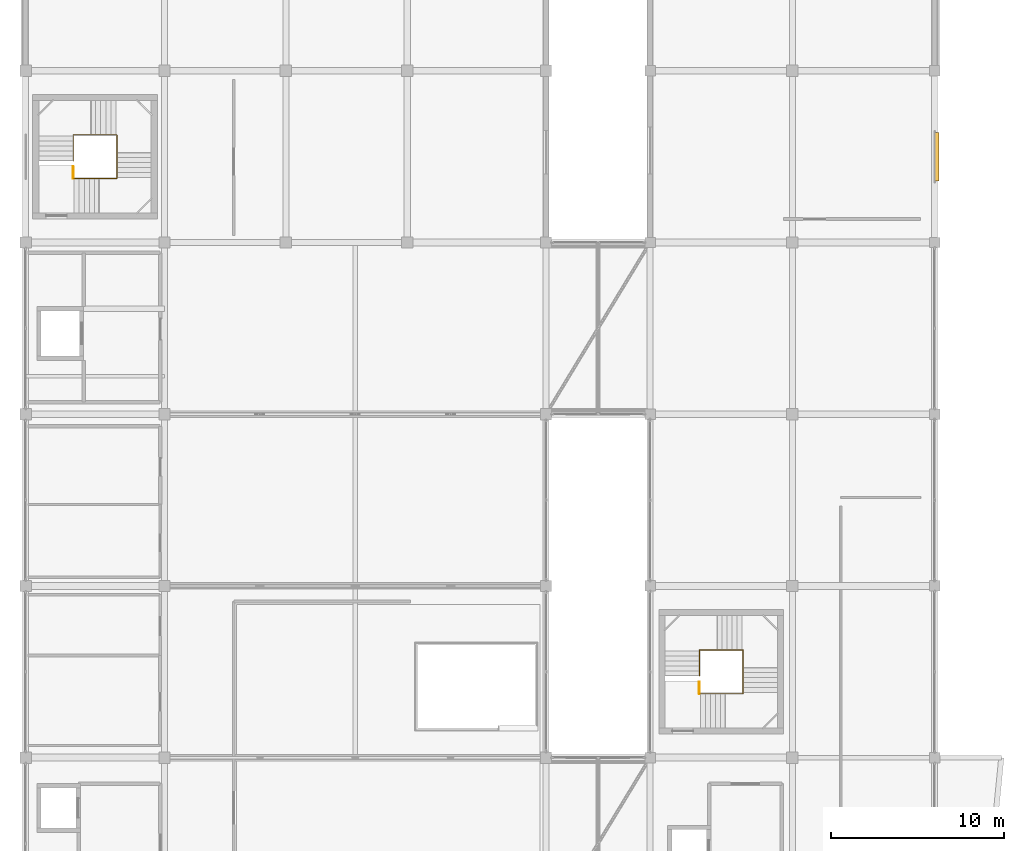
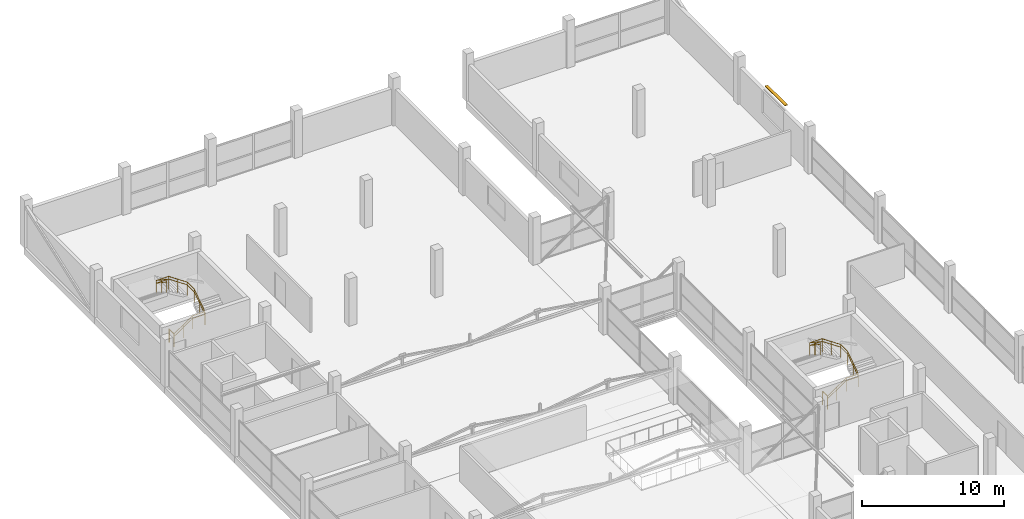
# One storey, part 66 of 66: 6 railings, 1 shading device.
"""IFC4 building model written with IfcOpenShell, lengths in metres."""

from ifc_helpers import new_model, si_unit, direction, frame, origin, origin_2d, place, context, subcontext, project, spatial, rectangle, circle, extrude, material, type_object, element, save


model = new_model("IFC4")

# Units and contexts
model_context = context("Model", 3, precision=1e-05, world=origin(), true_north=direction((0.0, 1.0)))
body_context = subcontext(model_context, "Body", "Model", "MODEL_VIEW")
ifc_project = project(units=[si_unit("LENGTHUNIT", "METRE"), si_unit("AREAUNIT", "SQUARE_METRE"), si_unit("VOLUMEUNIT", "CUBIC_METRE"), si_unit("PLANEANGLEUNIT", "RADIAN"), si_unit("MASSUNIT", "GRAM", prefix="KILO")], contexts=[model_context])

# Site, building, storey
site_placement = place(None, origin())
site = spatial("IfcSite", under=ifc_project, at=site_placement, CompositionType="ELEMENT")
building_placement = place(site_placement, origin())
building = spatial("IfcBuilding", under=site, at=building_placement, Name="Sillaruma Civic Art Gallery", CompositionType="ELEMENT")
storey_placement = place(building_placement, frame((0.0, 0.0, 62.219970703125)))
storey = spatial("IfcBuildingStorey", under=building, at=storey_placement, Name="L12", CompositionType="ELEMENT", Elevation=62.219970703125)

# Railings
ifc_material_1 = material(Name="Stainless Steel AISI 316", Category="steel")
railing_type_1 = type_object("IfcRailingType", Name="RAL-BAL-1150", PredefinedType="BALUSTRADE", material=ifc_material_1)
railing_1_placement = place(storey_placement, frame((64.739990234375, 82.889892578125, 0.0)))
element("IfcRailing", 1, at=railing_1_placement, inside=storey, type_object=railing_type_1, Name="Stair Floor Edge Guard (ST-02:L12)", PredefinedType="BALUSTRADE", context=body_context, shape_type="SweptSolid", body=[
    extrude(circle(Radius=0.02392578125, at=origin_2d()), frame((0.0, 0.0, 1.1259765625), z_axis=(0.0, 1.0, 0.0), x_axis=(-1.0, 0.0, 0.0)), (0.0, 0.0, 1.0), 0.68017578125),
    extrude(circle(Radius=0.02099609375, at=origin_2d()), origin(), (0.0, 0.0, 1.0), 1.101806640625),
    extrude(circle(Radius=0.02099609375, at=origin_2d()), frame((0.0, 0.68017578125, 0.0)), (0.0, 0.0, 1.0), 1.101806640625),
])
railing_2_placement = place(storey_placement, frame((64.739990234375, 82.889892578125, 0.0)))
element("IfcRailing", 2, at=railing_2_placement, inside=storey, type_object=railing_type_1, Name="Stair Well Balustrade (ST-02-L12)", PredefinedType="BALUSTRADE", context=body_context, shape_type="SweptSolid", body=[
    extrude(circle(Radius=0.02392578125, at=origin_2d()), frame((0.0, 0.0, 1.1259765625), z_axis=(0.828654473869, 0.0, 0.559760451387), x_axis=(0.0, 1.0, 0.0)), (0.0, 0.0, 1.0), 1.822265625),
    extrude(circle(Radius=0.02392578125, at=origin_2d()), frame((1.510009765625, 0.0, 2.14599609375), z_axis=(1.0, 0.0, 0.0), x_axis=(0.0, 1.0, 0.0)), (0.0, 0.0, 1.0), 1.010009765625),
    extrude(circle(Radius=0.02392578125, at=origin_2d()), frame((2.52001953125, 0.0, 2.14599609375), z_axis=(0.0, 0.828654473869, 0.559760451387), x_axis=(-1.0, 0.0, 0.0)), (0.0, 0.0, 1.0), 1.822265625),
    extrude(circle(Radius=0.02392578125, at=origin_2d()), frame((2.52001953125, 1.510009765625, 3.166015625), z_axis=(0.0, 1.0, 0.0), x_axis=(-1.0, 0.0, 0.0)), (0.0, 0.0, 1.0), 1.010009765625),
    extrude(circle(Radius=0.02392578125, at=origin_2d()), frame((2.52001953125, 2.52001953125, 3.166015625), z_axis=(-0.828654473869, 0.0, 0.559760451387), x_axis=(0.0, -1.0, 0.0)), (0.0, 0.0, 1.0), 1.822265625),
    extrude(circle(Radius=0.02392578125, at=origin_2d()), frame((1.010009765625, 2.52001953125, 4.18603515625), z_axis=(-1.0, 0.0, 0.0), x_axis=(0.0, -1.0, 0.0)), (0.0, 0.0, 1.0), 1.010009765625),
    extrude(circle(Radius=0.02392578125, at=origin_2d()), frame((0.0, 2.52001953125, 4.18603515625), z_axis=(0.0, -0.828654473869, 0.559760451387), x_axis=(1.0, 0.0, 0.0)), (0.0, 0.0, 1.0), 1.822265625),
    extrude(circle(Radius=0.02099609375, at=origin_2d()), origin(), (0.0, 0.0, 1.0), 1.101806640625),
    extrude(circle(Radius=0.02099609375, at=origin_2d()), frame((0.7548828125, 0.0, 0.510009765625)), (0.0, 0.0, 1.0), 1.101806640625),
    extrude(circle(Radius=0.02099609375, at=origin_2d()), frame((1.510009765625, 0.0, 1.02001953125)), (0.0, 0.0, 1.0), 1.101806640625),
    extrude(circle(Radius=0.02099609375, at=origin_2d()), frame((2.52001953125, 0.0, 1.02001953125)), (0.0, 0.0, 1.0), 1.101806640625),
    extrude(circle(Radius=0.02099609375, at=origin_2d()), frame((2.52001953125, 0.7548828125, 1.530029296875)), (0.0, 0.0, 1.0), 1.101806640625),
    extrude(circle(Radius=0.02099609375, at=origin_2d()), frame((2.52001953125, 1.510009765625, 2.0400390625)), (0.0, 0.0, 1.0), 1.101806640625),
    extrude(circle(Radius=0.02099609375, at=origin_2d()), frame((2.52001953125, 2.52001953125, 2.0400390625)), (0.0, 0.0, 1.0), 1.101806640625),
    extrude(circle(Radius=0.02099609375, at=origin_2d()), frame((1.76513671875, 2.52001953125, 2.550048828125)), (0.0, 0.0, 1.0), 1.101806640625),
    extrude(circle(Radius=0.02099609375, at=origin_2d()), frame((1.010009765625, 2.52001953125, 3.06005859375)), (0.0, 0.0, 1.0), 1.101806640625),
    extrude(circle(Radius=0.02099609375, at=origin_2d()), frame((0.0, 2.52001953125, 3.06005859375)), (0.0, 0.0, 1.0), 1.101806640625),
    extrude(circle(Radius=0.02099609375, at=origin_2d()), frame((0.0, 1.76513671875, 3.570068359375)), (0.0, 0.0, 1.0), 1.101806640625),
    extrude(circle(Radius=0.02099609375, at=origin_2d()), frame((0.0, 1.010009765625, 4.080078125)), (0.0, 0.0, 1.0), 1.101806640625),
])
railing_3_placement = place(storey_placement, frame((100.840087890625, 53.18994140625, 0.0)))
element("IfcRailing", 3, at=railing_3_placement, inside=storey, type_object=railing_type_1, Name="Stair Floor Edge Guard (ST-04:L12)", PredefinedType="BALUSTRADE", context=body_context, shape_type="SweptSolid", body=[
    extrude(circle(Radius=0.02392578125, at=origin_2d()), frame((0.0, 0.0, 1.1259765625), z_axis=(0.0, 1.0, 0.0), x_axis=(-1.0, 0.0, 0.0)), (0.0, 0.0, 1.0), 0.68017578125),
    extrude(circle(Radius=0.02099609375, at=origin_2d()), origin(), (0.0, 0.0, 1.0), 1.101806640625),
    extrude(circle(Radius=0.02099609375, at=origin_2d()), frame((0.0, 0.68017578125, 0.0)), (0.0, 0.0, 1.0), 1.101806640625),
])
railing_4_placement = place(storey_placement, frame((100.840087890625, 53.18994140625, 0.0)))
element("IfcRailing", 4, at=railing_4_placement, inside=storey, type_object=railing_type_1, Name="Stair Well Balustrade (ST-04-L12)", PredefinedType="BALUSTRADE", context=body_context, shape_type="SweptSolid", body=[
    extrude(circle(Radius=0.02392578125, at=origin_2d()), frame((0.0, 0.0, 1.1259765625), z_axis=(0.828654473869, 0.0, 0.559760451387), x_axis=(0.0, 1.0, 0.0)), (0.0, 0.0, 1.0), 1.822265625),
    extrude(circle(Radius=0.02392578125, at=origin_2d()), frame((1.510009765625, 0.0, 2.14599609375), z_axis=(1.0, 0.0, 0.0), x_axis=(0.0, 1.0, 0.0)), (0.0, 0.0, 1.0), 1.010009765625),
    extrude(circle(Radius=0.02392578125, at=origin_2d()), frame((2.52001953125, 0.0, 2.14599609375), z_axis=(0.0, 0.828654473869, 0.559760451387), x_axis=(-1.0, 0.0, 0.0)), (0.0, 0.0, 1.0), 1.822265625),
    extrude(circle(Radius=0.02392578125, at=origin_2d()), frame((2.52001953125, 1.510009765625, 3.166015625), z_axis=(0.0, 1.0, 0.0), x_axis=(-1.0, 0.0, 0.0)), (0.0, 0.0, 1.0), 1.010009765625),
    extrude(circle(Radius=0.02392578125, at=origin_2d()), frame((2.52001953125, 2.52001953125, 3.166015625), z_axis=(-0.828654473869, 0.0, 0.559760451387), x_axis=(0.0, -1.0, 0.0)), (0.0, 0.0, 1.0), 1.822265625),
    extrude(circle(Radius=0.02392578125, at=origin_2d()), frame((1.010009765625, 2.52001953125, 4.18603515625), z_axis=(-1.0, 0.0, 0.0), x_axis=(0.0, -1.0, 0.0)), (0.0, 0.0, 1.0), 1.010009765625),
    extrude(circle(Radius=0.02392578125, at=origin_2d()), frame((0.0, 2.52001953125, 4.18603515625), z_axis=(0.0, -0.828654473869, 0.559760451387), x_axis=(1.0, 0.0, 0.0)), (0.0, 0.0, 1.0), 1.822265625),
    extrude(circle(Radius=0.02099609375, at=origin_2d()), origin(), (0.0, 0.0, 1.0), 1.101806640625),
    extrude(circle(Radius=0.02099609375, at=origin_2d()), frame((0.7548828125, 0.0, 0.510009765625)), (0.0, 0.0, 1.0), 1.101806640625),
    extrude(circle(Radius=0.02099609375, at=origin_2d()), frame((1.510009765625, 0.0, 1.02001953125)), (0.0, 0.0, 1.0), 1.101806640625),
    extrude(circle(Radius=0.02099609375, at=origin_2d()), frame((2.52001953125, 0.0, 1.02001953125)), (0.0, 0.0, 1.0), 1.101806640625),
    extrude(circle(Radius=0.02099609375, at=origin_2d()), frame((2.52001953125, 0.7548828125, 1.530029296875)), (0.0, 0.0, 1.0), 1.101806640625),
    extrude(circle(Radius=0.02099609375, at=origin_2d()), frame((2.52001953125, 1.510009765625, 2.0400390625)), (0.0, 0.0, 1.0), 1.101806640625),
    extrude(circle(Radius=0.02099609375, at=origin_2d()), frame((2.52001953125, 2.52001953125, 2.0400390625)), (0.0, 0.0, 1.0), 1.101806640625),
    extrude(circle(Radius=0.02099609375, at=origin_2d()), frame((1.76513671875, 2.52001953125, 2.550048828125)), (0.0, 0.0, 1.0), 1.101806640625),
    extrude(circle(Radius=0.02099609375, at=origin_2d()), frame((1.010009765625, 2.52001953125, 3.06005859375)), (0.0, 0.0, 1.0), 1.101806640625),
    extrude(circle(Radius=0.02099609375, at=origin_2d()), frame((0.0, 2.52001953125, 3.06005859375)), (0.0, 0.0, 1.0), 1.101806640625),
    extrude(circle(Radius=0.02099609375, at=origin_2d()), frame((0.0, 1.76513671875, 3.570068359375)), (0.0, 0.0, 1.0), 1.101806640625),
    extrude(circle(Radius=0.02099609375, at=origin_2d()), frame((0.0, 1.010009765625, 4.080078125)), (0.0, 0.0, 1.0), 1.101806640625),
])
railing_type_2 = type_object("IfcRailingType", Name="RAL-HND-920", PredefinedType="HANDRAIL", material=ifc_material_1)
railing_5_placement = place(storey_placement, frame((64.739990234375, 82.889892578125, 0.0)))
element("IfcRailing", 5, at=railing_5_placement, inside=storey, type_object=railing_type_2, Name="Stair Continuous Handrail (ST-02-L12)", PredefinedType="HANDRAIL", context=body_context, shape_type="SweptSolid", body=[
    extrude(circle(Radius=0.02392578125, at=origin_2d()), frame((0.0, 0.0, 0.89599609375), z_axis=(0.828654473869, 0.0, 0.559760451387), x_axis=(0.0, 1.0, 0.0)), (0.0, 0.0, 1.0), 1.822265625),
    extrude(circle(Radius=0.02392578125, at=origin_2d()), frame((1.510009765625, 0.0, 1.916015625), z_axis=(1.0, 0.0, 0.0), x_axis=(0.0, 1.0, 0.0)), (0.0, 0.0, 1.0), 1.010009765625),
    extrude(circle(Radius=0.02392578125, at=origin_2d()), frame((2.52001953125, 0.0, 1.916015625), z_axis=(0.0, 0.828654473869, 0.559760451387), x_axis=(-1.0, 0.0, 0.0)), (0.0, 0.0, 1.0), 1.822265625),
    extrude(circle(Radius=0.02392578125, at=origin_2d()), frame((2.52001953125, 1.510009765625, 2.93603515625), z_axis=(0.0, 1.0, 0.0), x_axis=(-1.0, 0.0, 0.0)), (0.0, 0.0, 1.0), 1.010009765625),
    extrude(circle(Radius=0.02392578125, at=origin_2d()), frame((2.52001953125, 2.52001953125, 2.93603515625), z_axis=(-0.828654473869, 0.0, 0.559760451387), x_axis=(0.0, -1.0, 0.0)), (0.0, 0.0, 1.0), 1.822265625),
    extrude(circle(Radius=0.02392578125, at=origin_2d()), frame((1.010009765625, 2.52001953125, 3.9560546875), z_axis=(-1.0, 0.0, 0.0), x_axis=(0.0, -1.0, 0.0)), (0.0, 0.0, 1.0), 1.010009765625),
    extrude(circle(Radius=0.02392578125, at=origin_2d()), frame((0.0, 2.52001953125, 3.9560546875), z_axis=(0.0, -0.828654473869, 0.559760451387), x_axis=(1.0, 0.0, 0.0)), (0.0, 0.0, 1.0), 1.822265625),
    extrude(circle(Radius=0.02099609375, at=origin_2d()), origin(), (0.0, 0.0, 1.0), 0.871826171875),
    extrude(circle(Radius=0.02099609375, at=origin_2d()), frame((0.7548828125, 0.0, 0.510009765625)), (0.0, 0.0, 1.0), 0.871826171875),
    extrude(circle(Radius=0.02099609375, at=origin_2d()), frame((1.510009765625, 0.0, 1.02001953125)), (0.0, 0.0, 1.0), 0.871826171875),
    extrude(circle(Radius=0.02099609375, at=origin_2d()), frame((2.52001953125, 0.0, 1.02001953125)), (0.0, 0.0, 1.0), 0.871826171875),
    extrude(circle(Radius=0.02099609375, at=origin_2d()), frame((2.52001953125, 0.7548828125, 1.530029296875)), (0.0, 0.0, 1.0), 0.871826171875),
    extrude(circle(Radius=0.02099609375, at=origin_2d()), frame((2.52001953125, 1.510009765625, 2.0400390625)), (0.0, 0.0, 1.0), 0.871826171875),
    extrude(circle(Radius=0.02099609375, at=origin_2d()), frame((2.52001953125, 2.52001953125, 2.0400390625)), (0.0, 0.0, 1.0), 0.871826171875),
    extrude(circle(Radius=0.02099609375, at=origin_2d()), frame((1.76513671875, 2.52001953125, 2.550048828125)), (0.0, 0.0, 1.0), 0.871826171875),
    extrude(circle(Radius=0.02099609375, at=origin_2d()), frame((1.010009765625, 2.52001953125, 3.06005859375)), (0.0, 0.0, 1.0), 0.871826171875),
    extrude(circle(Radius=0.02099609375, at=origin_2d()), frame((0.0, 2.52001953125, 3.06005859375)), (0.0, 0.0, 1.0), 0.871826171875),
    extrude(circle(Radius=0.02099609375, at=origin_2d()), frame((0.0, 1.76513671875, 3.570068359375)), (0.0, 0.0, 1.0), 0.871826171875),
    extrude(circle(Radius=0.02099609375, at=origin_2d()), frame((0.0, 1.010009765625, 4.080078125)), (0.0, 0.0, 1.0), 0.871826171875),
])
railing_6_placement = place(storey_placement, frame((100.840087890625, 53.18994140625, 0.0)))
element("IfcRailing", 6, at=railing_6_placement, inside=storey, type_object=railing_type_2, Name="Stair Continuous Handrail (ST-04-L12)", PredefinedType="HANDRAIL", context=body_context, shape_type="SweptSolid", body=[
    extrude(circle(Radius=0.02392578125, at=origin_2d()), frame((0.0, 0.0, 0.89599609375), z_axis=(0.828654473869, 0.0, 0.559760451387), x_axis=(0.0, 1.0, 0.0)), (0.0, 0.0, 1.0), 1.822265625),
    extrude(circle(Radius=0.02392578125, at=origin_2d()), frame((1.510009765625, 0.0, 1.916015625), z_axis=(1.0, 0.0, 0.0), x_axis=(0.0, 1.0, 0.0)), (0.0, 0.0, 1.0), 1.010009765625),
    extrude(circle(Radius=0.02392578125, at=origin_2d()), frame((2.52001953125, 0.0, 1.916015625), z_axis=(0.0, 0.828654473869, 0.559760451387), x_axis=(-1.0, 0.0, 0.0)), (0.0, 0.0, 1.0), 1.822265625),
    extrude(circle(Radius=0.02392578125, at=origin_2d()), frame((2.52001953125, 1.510009765625, 2.93603515625), z_axis=(0.0, 1.0, 0.0), x_axis=(-1.0, 0.0, 0.0)), (0.0, 0.0, 1.0), 1.010009765625),
    extrude(circle(Radius=0.02392578125, at=origin_2d()), frame((2.52001953125, 2.52001953125, 2.93603515625), z_axis=(-0.828654473869, 0.0, 0.559760451387), x_axis=(0.0, -1.0, 0.0)), (0.0, 0.0, 1.0), 1.822265625),
    extrude(circle(Radius=0.02392578125, at=origin_2d()), frame((1.010009765625, 2.52001953125, 3.9560546875), z_axis=(-1.0, 0.0, 0.0), x_axis=(0.0, -1.0, 0.0)), (0.0, 0.0, 1.0), 1.010009765625),
    extrude(circle(Radius=0.02392578125, at=origin_2d()), frame((0.0, 2.52001953125, 3.9560546875), z_axis=(0.0, -0.828654473869, 0.559760451387), x_axis=(1.0, 0.0, 0.0)), (0.0, 0.0, 1.0), 1.822265625),
    extrude(circle(Radius=0.02099609375, at=origin_2d()), origin(), (0.0, 0.0, 1.0), 0.871826171875),
    extrude(circle(Radius=0.02099609375, at=origin_2d()), frame((0.7548828125, 0.0, 0.510009765625)), (0.0, 0.0, 1.0), 0.871826171875),
    extrude(circle(Radius=0.02099609375, at=origin_2d()), frame((1.510009765625, 0.0, 1.02001953125)), (0.0, 0.0, 1.0), 0.871826171875),
    extrude(circle(Radius=0.02099609375, at=origin_2d()), frame((2.52001953125, 0.0, 1.02001953125)), (0.0, 0.0, 1.0), 0.871826171875),
    extrude(circle(Radius=0.02099609375, at=origin_2d()), frame((2.52001953125, 0.7548828125, 1.530029296875)), (0.0, 0.0, 1.0), 0.871826171875),
    extrude(circle(Radius=0.02099609375, at=origin_2d()), frame((2.52001953125, 1.510009765625, 2.0400390625)), (0.0, 0.0, 1.0), 0.871826171875),
    extrude(circle(Radius=0.02099609375, at=origin_2d()), frame((2.52001953125, 2.52001953125, 2.0400390625)), (0.0, 0.0, 1.0), 0.871826171875),
    extrude(circle(Radius=0.02099609375, at=origin_2d()), frame((1.76513671875, 2.52001953125, 2.550048828125)), (0.0, 0.0, 1.0), 0.871826171875),
    extrude(circle(Radius=0.02099609375, at=origin_2d()), frame((1.010009765625, 2.52001953125, 3.06005859375)), (0.0, 0.0, 1.0), 0.871826171875),
    extrude(circle(Radius=0.02099609375, at=origin_2d()), frame((0.0, 2.52001953125, 3.06005859375)), (0.0, 0.0, 1.0), 0.871826171875),
    extrude(circle(Radius=0.02099609375, at=origin_2d()), frame((0.0, 1.76513671875, 3.570068359375)), (0.0, 0.0, 1.0), 0.871826171875),
    extrude(circle(Radius=0.02099609375, at=origin_2d()), frame((0.0, 1.010009765625, 4.080078125)), (0.0, 0.0, 1.0), 0.871826171875),
])

# Shading device
ifc_material_2 = material(Name="Anodised Extruded Aluminium 6063-T6", Category="aluminium")
shading_device_type = type_object("IfcShadingDeviceType", Name="SHD-LOU-02", PredefinedType="USERDEFINED", material=ifc_material_2)
shading_device_placement = place(storey_placement, frame((114.5400390625, 84.14990234375, 3.4248046875), z_axis=(0.0, 0.0, 1.0), x_axis=(0.0, 1.0, 0.0)))
element("IfcShadingDevice", 7, at=shading_device_placement, inside=storey, type_object=shading_device_type, Name="Studio Solar Louvre Baffle (L12-7)", ObjectType="LOUVRE", PredefinedType="USERDEFINED", context=body_context, shape_type="SweptSolid", body=[
    extrude(rectangle(XDim=2.800048828125, YDim=0.239990234375, at=origin_2d()), origin(), (0.0, 0.0, 1.0), 0.050048828125),
])

save(model, "model.ifc")
